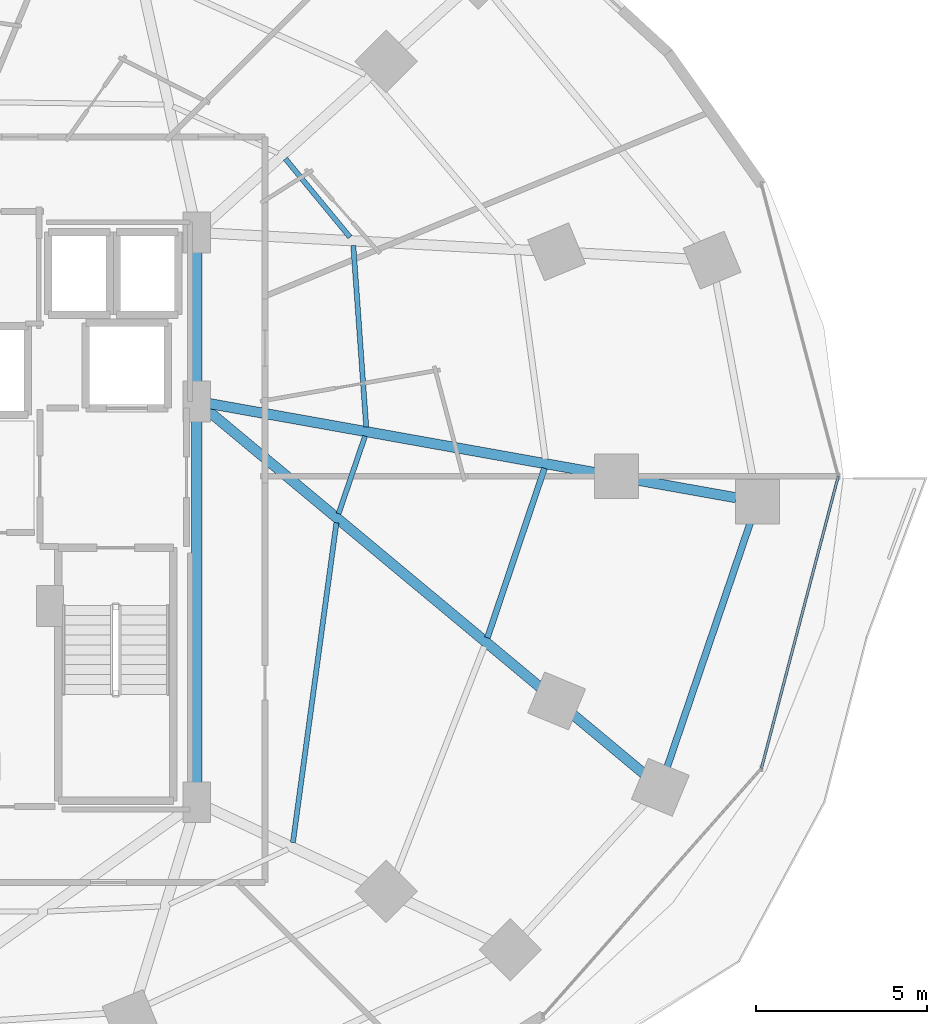
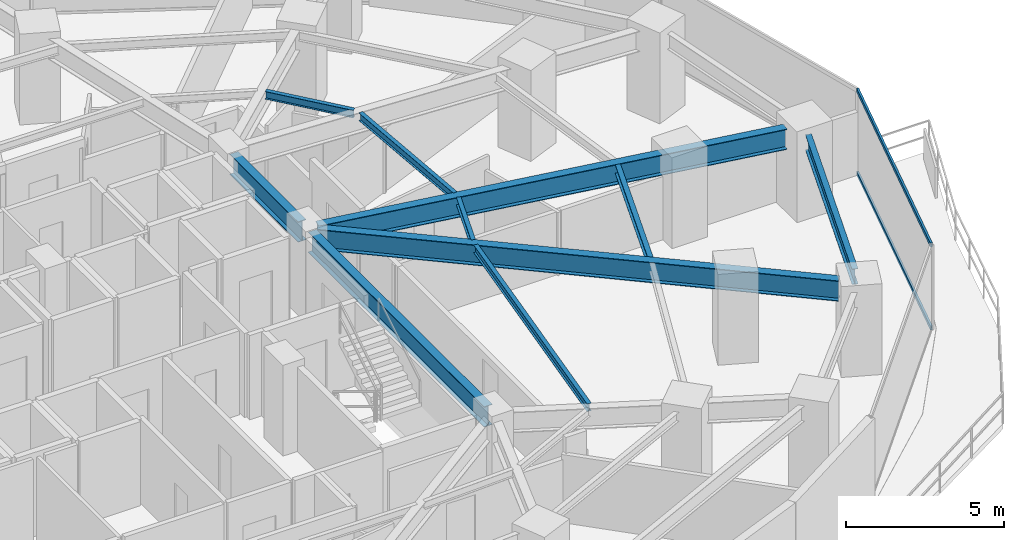
# One storey, part 15 of 34: 10 beams, 2 members, 1 element without a shape of its own.
"""IFC4 building model written with IfcOpenShell, lengths in metres."""

from ifc_helpers import new_model, si_unit, direction, frame, origin, origin_2d, place, context, subcontext, project, spatial, hollow_rectangle, i_section, extrude, material, material_profile, profile_set, type_object, element, aggregate, save


model = new_model("IFC4")

# Units and contexts
model_context = context("Model", 3, precision=1e-05, world=origin(), true_north=direction((0.0, 1.0)))
body_context = subcontext(model_context, "Body", "Model", "MODEL_VIEW")
ifc_project = project(units=[si_unit("LENGTHUNIT", "METRE"), si_unit("AREAUNIT", "SQUARE_METRE"), si_unit("VOLUMEUNIT", "CUBIC_METRE"), si_unit("PLANEANGLEUNIT", "RADIAN"), si_unit("MASSUNIT", "GRAM", prefix="KILO")], contexts=[model_context])

# Site, building, storey
site_placement = place(None, origin())
site = spatial("IfcSite", under=ifc_project, at=site_placement, CompositionType="ELEMENT")
building_placement = place(site_placement, origin())
building = spatial("IfcBuilding", under=site, at=building_placement, Name="Vorneva Point Tower", CompositionType="ELEMENT")
storey_placement = place(building_placement, frame((0.0, 0.0, 31.0)))
storey = spatial("IfcBuildingStorey", under=building, at=storey_placement, Name="L07", CompositionType="ELEMENT", Elevation=31.0)

# Beams
ifc_material_1 = material(Name="Steel S355", Category="steel")
ifc_material_profile_1 = material_profile(ifc_material_1, i_section(OverallWidth=0.300048828125, OverallDepth=0.7880859375, WebThickness=0.014404296875, FlangeThickness=0.02197265625, at=origin_2d()), Name="80Sh1")
ifc_profile_set_1 = profile_set([ifc_material_profile_1], Name="Steel S355")
beam_type_1 = type_object("IfcBeamType", Name="BM-GRD-80Sh1", PredefinedType="USERDEFINED", material=ifc_profile_set_1)
beam_1_placement = place(storey_placement, frame((64.55419921875, 25.373291015625, 2.845947265625), z_axis=(-0.984378664832, 0.176064318428, 0.0), x_axis=(-0.176064318428, -0.984378664832, 0.0)))
element("IfcBeam", 1, at=beam_1_placement, inside=storey, type_object=beam_type_1, Name="L07 Radial Primary Girder 01", ObjectType="GIRDER", PredefinedType="USERDEFINED", context=body_context, shape_type="SweptSolid", body=[
    extrude(i_section(OverallWidth=0.300048828125, OverallDepth=0.7880859375, WebThickness=0.014404296875, FlangeThickness=0.02197265625, at=origin_2d()), origin(), (0.0, 0.0, 1.0), 15.715087890625),
])
beam_2_placement = place(storey_placement, frame((61.844482421875, 17.294921875, 2.845947265625), z_axis=(-0.76842374394, 0.639941364306, 0.0), x_axis=(-0.639941364306, -0.76842374394, 0.0)))
element("IfcBeam", 2, at=beam_2_placement, inside=storey, type_object=beam_type_1, Name="L07 Radial Primary Girder 16", ObjectType="GIRDER", PredefinedType="USERDEFINED", context=body_context, shape_type="SweptSolid", body=[
    extrude(i_section(OverallWidth=0.300048828125, OverallDepth=0.7880859375, WebThickness=0.014404296875, FlangeThickness=0.02197265625, at=origin_2d()), origin(), (0.0, 0.0, 1.0), 16.70068359375),
])
beam_3_placement = place(storey_placement, frame((48.75, 16.77001953125, 2.845947265625), z_axis=(0.0, 1.0, 0.0), x_axis=(-1.0, 0.0, 0.0)))
element("IfcBeam", 3, at=beam_3_placement, inside=storey, type_object=beam_type_1, Name="L07 Core Tie Girder CT3", ObjectType="GIRDER", PredefinedType="USERDEFINED", context=body_context, shape_type="SweptSolid", body=[
    extrude(i_section(OverallWidth=0.300048828125, OverallDepth=0.7880859375, WebThickness=0.014404296875, FlangeThickness=0.02197265625, at=origin_2d()), origin(), (0.0, 0.0, 1.0), 11.10986328125),
])
beam_4_placement = place(storey_placement, frame((48.75, 28.52001953125, 2.845947265625), z_axis=(0.0, 1.0, 0.0), x_axis=(-1.0, 0.0, 0.0)))
element("IfcBeam", 4, at=beam_4_placement, inside=storey, type_object=beam_type_1, Name="L07 Core Tie Girder CT4", ObjectType="GIRDER", PredefinedType="USERDEFINED", context=body_context, shape_type="SweptSolid", body=[
    extrude(i_section(OverallWidth=0.300048828125, OverallDepth=0.7880859375, WebThickness=0.014404296875, FlangeThickness=0.02197265625, at=origin_2d()), origin(), (0.0, 0.0, 1.0), 4.31005859375),
])
ifc_material_profile_2 = material_profile(ifc_material_1, i_section(OverallWidth=0.14892578125, OverallDepth=0.298095703125, WebThickness=0.005615234375, FlangeThickness=0.008056640625, at=origin_2d()), Name="30B1")
ifc_profile_set_2 = profile_set([ifc_material_profile_2], Name="Steel S355")
beam_type_2 = type_object("IfcBeamType", Name="BM-JST-30B1", PredefinedType="JOIST", material=ifc_profile_set_2)
beam_5_placement = place(storey_placement, frame((53.7158203125, 27.44775390625, 3.091064453125), z_axis=(-0.07093138568, 0.997481197079, 0.0), x_axis=(-0.997481197079, -0.07093138568, 0.0)))
element("IfcBeam", 5, at=beam_5_placement, inside=storey, type_object=beam_type_2, Name="L07 Secondary Floor Beam 2.01", PredefinedType="JOIST", context=body_context, shape_type="SweptSolid", body=[
    extrude(i_section(OverallWidth=0.14892578125, OverallDepth=0.298095703125, WebThickness=0.005615234375, FlangeThickness=0.008056640625, at=origin_2d()), origin(), (0.0, 0.0, 1.0), 5.33154296875),
])
beam_6_placement = place(storey_placement, frame((53.239990234375, 33.010009765625, 3.091064453125), z_axis=(-0.635667033384, 0.771963355781, 0.0), x_axis=(-0.771963355781, -0.635667033384, 0.0)))
element("IfcBeam", 6, at=beam_6_placement, inside=storey, type_object=beam_type_2, Name="L07 Secondary Floor Beam 2.02", PredefinedType="JOIST", context=body_context, shape_type="SweptSolid", body=[
    extrude(i_section(OverallWidth=0.14892578125, OverallDepth=0.298095703125, WebThickness=0.005615234375, FlangeThickness=0.008056640625, at=origin_2d()), origin(), (0.0, 0.0, 1.0), 2.978759765625),
])
beam_7_placement = place(storey_placement, frame((51.5673828125, 15.26904296875, 3.091064453125), z_axis=(0.13486550853, 0.990863913264, 0.0), x_axis=(-0.990863913264, 0.13486550853, 0.0)))
element("IfcBeam", 7, at=beam_7_placement, inside=storey, type_object=beam_type_2, Name="L07 Secondary Floor Beam 2.15", PredefinedType="JOIST", context=body_context, shape_type="SweptSolid", body=[
    extrude(i_section(OverallWidth=0.14892578125, OverallDepth=0.298095703125, WebThickness=0.005615234375, FlangeThickness=0.008056640625, at=origin_2d()), origin(), (0.0, 0.0, 1.0), 9.456787109375),
])
beam_8_placement = place(storey_placement, frame((52.90576171875, 24.90673828125, 3.091064453125), z_axis=(0.322808483442, 0.946464306257, 0.0), x_axis=(-0.946464306257, 0.322808483442, 0.0)))
element("IfcBeam", 8, at=beam_8_placement, inside=storey, type_object=beam_type_2, Name="L07 Secondary Floor Beam 2.16", PredefinedType="JOIST", context=body_context, shape_type="SweptSolid", body=[
    extrude(i_section(OverallWidth=0.14892578125, OverallDepth=0.298095703125, WebThickness=0.005615234375, FlangeThickness=0.008056640625, at=origin_2d()), origin(), (0.0, 0.0, 1.0), 2.4013671875),
])
ifc_material_profile_3 = material_profile(ifc_material_1, i_section(OverallWidth=0.174072265625, OverallDepth=0.345947265625, WebThickness=0.006103515625, FlangeThickness=0.009033203125, at=origin_2d()), Name="35B1")
ifc_profile_set_3 = profile_set([ifc_material_profile_3], Name="Steel S355")
beam_type_3 = type_object("IfcBeamType", Name="BM-SEC-35B1", PredefinedType="BEAM", material=ifc_profile_set_3)
beam_9_placement = place(storey_placement, frame((57.268798828125, 21.273193359375, 3.06689453125), z_axis=(0.319189795447, 0.947690811648, 0.0), x_axis=(-0.947690811648, 0.319189795447, 0.0)))
element("IfcBeam", 9, at=beam_9_placement, inside=storey, type_object=beam_type_3, Name="L07 Secondary Floor Beam 1.16", PredefinedType="BEAM", context=body_context, shape_type="SweptSolid", body=[
    extrude(i_section(OverallWidth=0.174072265625, OverallDepth=0.345947265625, WebThickness=0.006103515625, FlangeThickness=0.009033203125, at=origin_2d()), origin(), (0.0, 0.0, 1.0), 5.239501953125),
])
ifc_material_profile_4 = material_profile(ifc_material_1, i_section(OverallWidth=0.198974609375, OverallDepth=0.595947265625, WebThickness=0.010009765625, FlangeThickness=0.014892578125, at=origin_2d()), Name="60B1")
ifc_profile_set_4 = profile_set([ifc_material_profile_4], Name="Steel S355")
beam_type_4 = type_object("IfcBeamType", Name="BM-SPN-60B1", PredefinedType="SPANDREL", material=ifc_profile_set_4)
beam_10_placement = place(storey_placement, frame((62.539306640625, 17.48779296875, 2.94189453125), z_axis=(0.321907355596, 0.946771173206, 0.0), x_axis=(-0.946771173206, 0.321907355596, 0.0)))
element("IfcBeam", 10, at=beam_10_placement, inside=storey, type_object=beam_type_4, Name="L07 Perimeter Spandrel Ring Beam 16", PredefinedType="SPANDREL", context=body_context, shape_type="SweptSolid", body=[
    extrude(i_section(OverallWidth=0.198974609375, OverallDepth=0.595947265625, WebThickness=0.010009765625, FlangeThickness=0.014892578125, at=origin_2d()), origin(), (0.0, 0.0, 1.0), 7.5751953125),
])

# Curtain wall, members
ifc_material_2 = material(Name="Pale anodised aluminium", Category="aluminium")
curtain_wall_type = type_object("IfcCurtainWallType", Name="CW-HTL-SYS", PredefinedType="NOTDEFINED", material=ifc_material_2)
curtain_wall_placement = place(storey_placement, origin())
curtain_wall = element("IfcCurtainWall", 11, at=curtain_wall_placement, inside=storey, type_object=curtain_wall_type, Name="L07 Unitised Curtain Wall CW-L07-R01", PredefinedType="NOTDEFINED")
ifc_material_profile_5 = material_profile(ifc_material_2, hollow_rectangle(XDim=0.074951171875, YDim=0.14990234375, WallThickness=0.00390625, at=origin_2d()), Name="AL-TRN 150x75x4")
ifc_profile_set_5 = profile_set([ifc_material_profile_5], Name="Pale anodised aluminium")
member_type = type_object("IfcMemberType", Name="CW-TRN-150", PredefinedType="USERDEFINED", material=ifc_profile_set_5)
member_1_placement = place(storey_placement, frame((65.300537109375, 17.447021484375, 0.02001953125), z_axis=(0.254358772746, 0.967109928978, 0.0), x_axis=(-0.967109928978, 0.254358772746, 0.0)))
member_1 = element("IfcMember", 12, at=member_1_placement, type_object=member_type, Name="CW-L07-R01 Transom 02.1", ObjectType="TRANSOM", PredefinedType="USERDEFINED", context=body_context, shape_type="SweptSolid", body=[
    extrude(hollow_rectangle(XDim=0.074951171875, YDim=0.14990234375, WallThickness=0.00390625, at=origin_2d()), origin(), (0.0, 0.0, 1.0), 8.84375),
])
member_2_placement = place(storey_placement, frame((65.300537109375, 17.447021484375, 3.219970703125), z_axis=(0.254358772746, 0.967109928978, 0.0), x_axis=(-0.967109928978, 0.254358772746, 0.0)))
member_2 = element("IfcMember", 13, at=member_2_placement, type_object=member_type, Name="CW-L07-R01 Transom 02.2", ObjectType="TRANSOM", PredefinedType="USERDEFINED", context=body_context, shape_type="SweptSolid", body=[
    extrude(hollow_rectangle(XDim=0.074951171875, YDim=0.14990234375, WallThickness=0.00390625, at=origin_2d()), origin(), (0.0, 0.0, 1.0), 8.84375),
])
aggregate(curtain_wall, [member_1, member_2])

save(model, "model.ifc")
